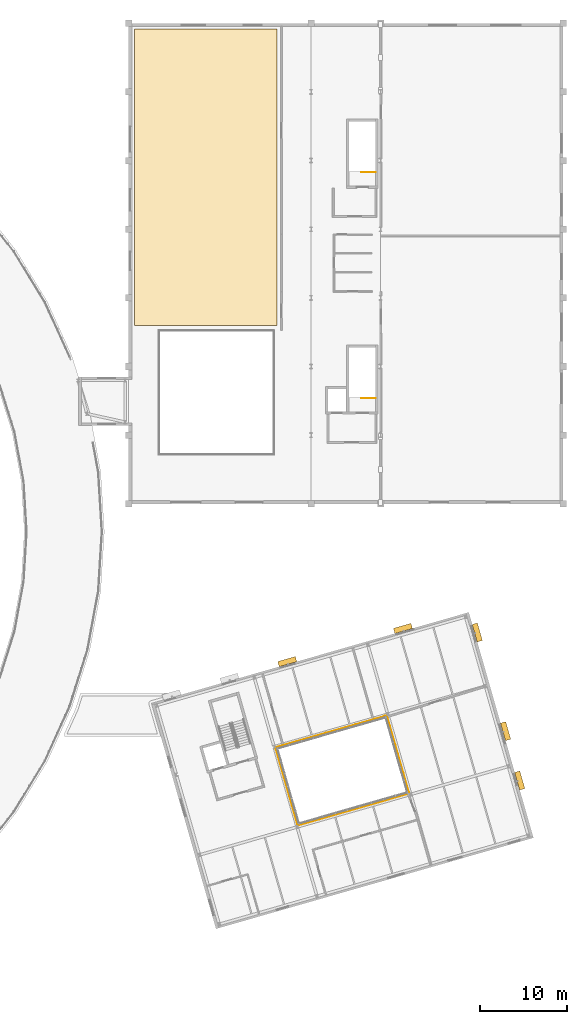
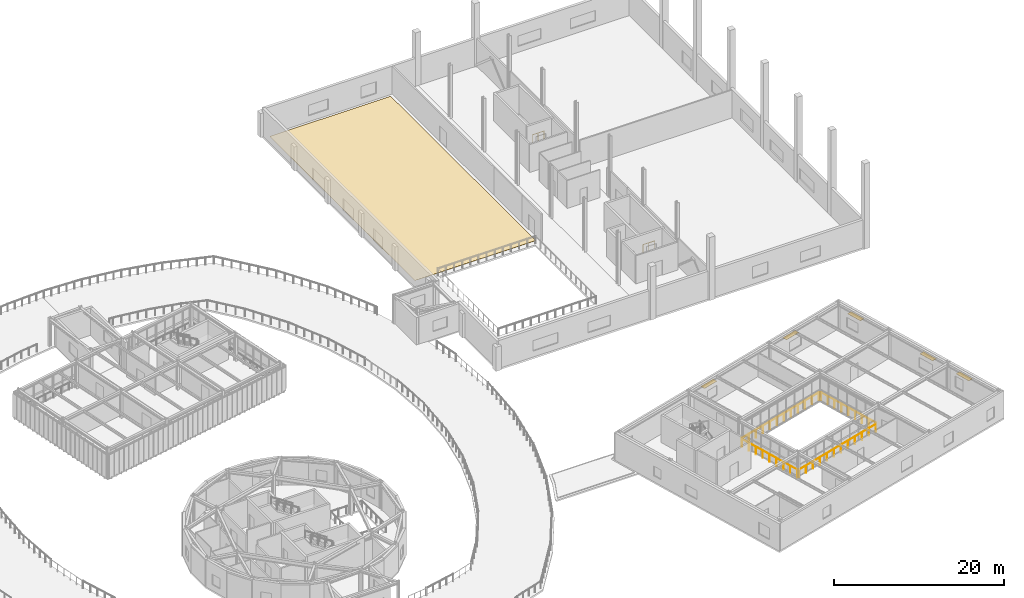
# One storey, part 59 of 59: 6 railings, 5 shading devices, 1 covering.
"""IFC4 building model written with IfcOpenShell, lengths in metres."""

from ifc_helpers import new_model, si_unit, direction, frame, origin, origin_2d, place, context, subcontext, project, spatial, polyline, rectangle, circle, outline, extrude, material, layer, layer_set, type_object, element, save


model = new_model("IFC4")

# Units and contexts
model_context = context("Model", 3, precision=1e-05, world=origin(), true_north=direction((0.0, 1.0)))
body_context = subcontext(model_context, "Body", "Model", "MODEL_VIEW")
ifc_project = project(units=[si_unit("LENGTHUNIT", "METRE"), si_unit("AREAUNIT", "SQUARE_METRE"), si_unit("VOLUMEUNIT", "CUBIC_METRE"), si_unit("PLANEANGLEUNIT", "RADIAN"), si_unit("MASSUNIT", "GRAM", prefix="KILO")], contexts=[model_context])

# Site, building, storey
site_placement = place(None, origin())
site = spatial("IfcSite", under=ifc_project, at=site_placement, CompositionType="ELEMENT")
building_placement = place(site_placement, origin())
building = spatial("IfcBuilding", under=site, at=building_placement, Name="Varnklinge Art Gallery", CompositionType="ELEMENT")
storey_placement = place(building_placement, frame((0.0, 0.0, 9.52001953125)))
storey = spatial("IfcBuildingStorey", under=building, at=storey_placement, Name="L02", CompositionType="ELEMENT", Elevation=9.52001953125)

# Railings
ifc_material_1 = material(Name="Anodised Aluminium", Category="aluminium")
railing_type_1 = type_object("IfcRailingType", Name="BAL-01", PredefinedType="BALUSTRADE", material=ifc_material_1)
railing_1_placement = place(storey_placement, frame((146.53271484375, 24.812255859375, 0.0)))
element("IfcRailing", 1, at=railing_1_placement, inside=storey, type_object=railing_type_1, Name="BAL-V6C-L02-1", PredefinedType="BALUSTRADE", context=body_context, shape_type="SweptSolid", body=[
    extrude(circle(Radius=0.02392578125, at=origin_2d()), frame((0.0, 0.0, 1.11572265625), z_axis=(-0.961262007285, -0.275636270019, 0.0), x_axis=(0.275636270019, -0.961262007285, 0.0)), (0.0, 0.0, 1.0), 13.0),
    extrude(circle(Radius=0.02099609375, at=origin_2d()), origin(), (0.0, 0.0, 1.0), 1.091796875),
    extrude(circle(Radius=0.02099609375, at=origin_2d()), frame((-1.135986328125, -0.32568359375, 0.0)), (0.0, 0.0, 1.0), 1.091796875),
    extrude(circle(Radius=0.02099609375, at=origin_2d()), frame((-2.27197265625, -0.651611328125, 0.0)), (0.0, 0.0, 1.0), 1.091796875),
    extrude(circle(Radius=0.02099609375, at=origin_2d()), frame((-3.408203125, -0.977294921875, 0.0)), (0.0, 0.0, 1.0), 1.091796875),
    extrude(circle(Radius=0.02099609375, at=origin_2d()), frame((-4.544189453125, -1.302978515625, 0.0)), (0.0, 0.0, 1.0), 1.091796875),
    extrude(circle(Radius=0.02099609375, at=origin_2d()), frame((-5.68017578125, -1.628662109375, 0.0)), (0.0, 0.0, 1.0), 1.091796875),
    extrude(circle(Radius=0.02099609375, at=origin_2d()), frame((-6.816162109375, -1.95458984375, 0.0)), (0.0, 0.0, 1.0), 1.091796875),
    extrude(circle(Radius=0.02099609375, at=origin_2d()), frame((-7.9521484375, -2.2802734375, 0.0)), (0.0, 0.0, 1.0), 1.091796875),
    extrude(circle(Radius=0.02099609375, at=origin_2d()), frame((-9.088134765625, -2.60595703125, 0.0)), (0.0, 0.0, 1.0), 1.091796875),
    extrude(circle(Radius=0.02099609375, at=origin_2d()), frame((-10.224365234375, -2.931640625, 0.0)), (0.0, 0.0, 1.0), 1.091796875),
    extrude(circle(Radius=0.02099609375, at=origin_2d()), frame((-11.3603515625, -3.257568359375, 0.0)), (0.0, 0.0, 1.0), 1.091796875),
    extrude(circle(Radius=0.02099609375, at=origin_2d()), frame((-12.496337890625, -3.583251953125, 0.0)), (0.0, 0.0, 1.0), 1.091796875),
])
railing_2_placement = place(storey_placement, frame((144.16162109375, 33.661376953125, 0.0)))
element("IfcRailing", 2, at=railing_2_placement, inside=storey, type_object=railing_type_1, Name="BAL-V6C-L02-2", PredefinedType="BALUSTRADE", context=body_context, shape_type="SweptSolid", body=[
    extrude(circle(Radius=0.02392578125, at=origin_2d()), frame((0.0, 0.0, 1.11572265625), z_axis=(0.275634611374, -0.96126248289, 0.0), x_axis=(0.96126248289, 0.275634611374, 0.0)), (0.0, 0.0, 1.0), 9.0),
    extrude(circle(Radius=0.02099609375, at=origin_2d()), origin(), (0.0, 0.0, 1.0), 1.091796875),
    extrude(circle(Radius=0.02099609375, at=origin_2d()), frame((0.31005859375, -1.08154296875, 0.0)), (0.0, 0.0, 1.0), 1.091796875),
    extrude(circle(Radius=0.02099609375, at=origin_2d()), frame((0.6201171875, -2.162841796875, 0.0)), (0.0, 0.0, 1.0), 1.091796875),
    extrude(circle(Radius=0.02099609375, at=origin_2d()), frame((0.93017578125, -3.244140625, 0.0)), (0.0, 0.0, 1.0), 1.091796875),
    extrude(circle(Radius=0.02099609375, at=origin_2d()), frame((1.240234375, -4.32568359375, 0.0)), (0.0, 0.0, 1.0), 1.091796875),
    extrude(circle(Radius=0.02099609375, at=origin_2d()), frame((1.550537109375, -5.4072265625, 0.0)), (0.0, 0.0, 1.0), 1.091796875),
    extrude(circle(Radius=0.02099609375, at=origin_2d()), frame((1.860595703125, -6.488525390625, 0.0)), (0.0, 0.0, 1.0), 1.091796875),
    extrude(circle(Radius=0.02099609375, at=origin_2d()), frame((2.170654296875, -7.56982421875, 0.0)), (0.0, 0.0, 1.0), 1.091796875),
    extrude(circle(Radius=0.02099609375, at=origin_2d()), frame((2.480712890625, -8.6513671875, 0.0)), (0.0, 0.0, 1.0), 1.091796875),
])
railing_3_placement = place(storey_placement, frame((131.46728515625, 30.187744140625, 0.0)))
element("IfcRailing", 3, at=railing_3_placement, inside=storey, type_object=railing_type_1, Name="BAL-V6C-L02-3", PredefinedType="BALUSTRADE", context=body_context, shape_type="SweptSolid", body=[
    extrude(circle(Radius=0.02392578125, at=origin_2d()), frame((0.0, 0.0, 1.11572265625), z_axis=(0.961262007285, 0.275636270019, 0.0), x_axis=(-0.275636270019, 0.961262007285, 0.0)), (0.0, 0.0, 1.0), 13.0),
    extrude(circle(Radius=0.02099609375, at=origin_2d()), origin(), (0.0, 0.0, 1.0), 1.091796875),
    extrude(circle(Radius=0.02099609375, at=origin_2d()), frame((1.135986328125, 0.32568359375, 0.0)), (0.0, 0.0, 1.0), 1.091796875),
    extrude(circle(Radius=0.02099609375, at=origin_2d()), frame((2.27197265625, 0.651611328125, 0.0)), (0.0, 0.0, 1.0), 1.091796875),
    extrude(circle(Radius=0.02099609375, at=origin_2d()), frame((3.408203125, 0.977294921875, 0.0)), (0.0, 0.0, 1.0), 1.091796875),
    extrude(circle(Radius=0.02099609375, at=origin_2d()), frame((4.544189453125, 1.302978515625, 0.0)), (0.0, 0.0, 1.0), 1.091796875),
    extrude(circle(Radius=0.02099609375, at=origin_2d()), frame((5.68017578125, 1.628662109375, 0.0)), (0.0, 0.0, 1.0), 1.091796875),
    extrude(circle(Radius=0.02099609375, at=origin_2d()), frame((6.816162109375, 1.95458984375, 0.0)), (0.0, 0.0, 1.0), 1.091796875),
    extrude(circle(Radius=0.02099609375, at=origin_2d()), frame((7.9521484375, 2.2802734375, 0.0)), (0.0, 0.0, 1.0), 1.091796875),
    extrude(circle(Radius=0.02099609375, at=origin_2d()), frame((9.088134765625, 2.60595703125, 0.0)), (0.0, 0.0, 1.0), 1.091796875),
    extrude(circle(Radius=0.02099609375, at=origin_2d()), frame((10.224365234375, 2.931640625, 0.0)), (0.0, 0.0, 1.0), 1.091796875),
    extrude(circle(Radius=0.02099609375, at=origin_2d()), frame((11.3603515625, 3.257568359375, 0.0)), (0.0, 0.0, 1.0), 1.091796875),
    extrude(circle(Radius=0.02099609375, at=origin_2d()), frame((12.496337890625, 3.583251953125, 0.0)), (0.0, 0.0, 1.0), 1.091796875),
])
railing_4_placement = place(storey_placement, frame((133.83837890625, 21.338623046875, 0.0)))
element("IfcRailing", 4, at=railing_4_placement, inside=storey, type_object=railing_type_1, Name="BAL-V6C-L02-4", PredefinedType="BALUSTRADE", context=body_context, shape_type="SweptSolid", body=[
    extrude(circle(Radius=0.02392578125, at=origin_2d()), frame((0.0, 0.0, 1.11572265625), z_axis=(-0.275634611374, 0.96126248289, 0.0), x_axis=(-0.96126248289, -0.275634611374, 0.0)), (0.0, 0.0, 1.0), 9.0),
    extrude(circle(Radius=0.02099609375, at=origin_2d()), origin(), (0.0, 0.0, 1.0), 1.091796875),
    extrude(circle(Radius=0.02099609375, at=origin_2d()), frame((-0.31005859375, 1.08154296875, 0.0)), (0.0, 0.0, 1.0), 1.091796875),
    extrude(circle(Radius=0.02099609375, at=origin_2d()), frame((-0.6201171875, 2.162841796875, 0.0)), (0.0, 0.0, 1.0), 1.091796875),
    extrude(circle(Radius=0.02099609375, at=origin_2d()), frame((-0.93017578125, 3.244140625, 0.0)), (0.0, 0.0, 1.0), 1.091796875),
    extrude(circle(Radius=0.02099609375, at=origin_2d()), frame((-1.240234375, 4.32568359375, 0.0)), (0.0, 0.0, 1.0), 1.091796875),
    extrude(circle(Radius=0.02099609375, at=origin_2d()), frame((-1.550537109375, 5.4072265625, 0.0)), (0.0, 0.0, 1.0), 1.091796875),
    extrude(circle(Radius=0.02099609375, at=origin_2d()), frame((-1.860595703125, 6.488525390625, 0.0)), (0.0, 0.0, 1.0), 1.091796875),
    extrude(circle(Radius=0.02099609375, at=origin_2d()), frame((-2.170654296875, 7.56982421875, 0.0)), (0.0, 0.0, 1.0), 1.091796875),
    extrude(circle(Radius=0.02099609375, at=origin_2d()), frame((-2.480712890625, 8.6513671875, 0.0)), (0.0, 0.0, 1.0), 1.091796875),
])

# Covering
ifc_material_2 = material(Name="Polished Terrazzo Flooring", Category="stone")
ifc_layer_1 = layer(ifc_material_2, 0.02001953125)
ifc_layer_set_1 = layer_set([ifc_layer_1], Name="Polished Terrazzo Flooring")
covering_type = type_object("IfcCoveringType", Name="FLR-STN", PredefinedType="FLOORING", material=ifc_layer_set_1)
covering_placement = place(storey_placement, origin())
element("IfcCovering", 5, at=covering_placement, inside=storey, type_object=covering_type, Name="L02 Gallery Terrazzo Flooring 032", PredefinedType="FLOORING", context=body_context, shape_type="SweptSolid", body=[
    extrude(outline(polyline([(115.080078125, 112.820068359375), (115.080078125, 78.699951171875), (131.5, 78.699951171875), (131.5, 112.820068359375), (115.080078125, 112.820068359375)])), origin(), (0.0, 0.0, 1.0), 0.02001953125),
])

# Railings
ifc_material_3 = material(Name="Steel S355", Category="steel")
railing_type_2 = type_object("IfcRailingType", Name="GR-INT", PredefinedType="GUARDRAIL", material=ifc_material_3)
for number, where, name in (
    (6, (142.800048828125, 70.35009765625, 0.0), "L02 ST-03 top well guard 1"),
    (7, (142.800048828125, 96.35009765625, 0.0), "L02 ST-07 top well guard 1"),
):
    element("IfcRailing", number, at=place(storey_placement, frame(where)), inside=storey, type_object=railing_type_2, Name=name, PredefinedType="GUARDRAIL", context=body_context, shape_type="SweptSolid", body=[
        extrude(circle(Radius=0.02392578125, at=origin_2d()), frame((0.0, 0.0, 1.076171875), z_axis=(-1.0, 0.0, 0.0), x_axis=(0.0, -1.0, 0.0)), (0.0, 0.0, 1.0), 1.610107421875),
        extrude(circle(Radius=0.02099609375, at=origin_2d()), origin(), (0.0, 0.0, 1.0), 1.052001953125),
        extrude(circle(Radius=0.02099609375, at=origin_2d()), frame((-0.80517578125, 0.0, 0.0)), (0.0, 0.0, 1.0), 1.052001953125),
        extrude(circle(Radius=0.02099609375, at=origin_2d()), frame((-1.610107421875, 0.0, 0.0)), (0.0, 0.0, 1.0), 1.052001953125),
    ])

# Shading devices
ifc_material_4 = material(Name="Anodised Aluminium", Category="aluminium")
ifc_layer_2 = layer(ifc_material_4, 0.044921875)
ifc_layer_set_2 = layer_set([ifc_layer_2], Name="Anodised Aluminium")
shading_device_type = type_object("IfcShadingDeviceType", Name="SHD-FIN", PredefinedType="JALOUSIE", material=ifc_layer_set_2)
for number, where, z_axis, x_axis, name in (
    (8, (132.65087890625, 40.035400390625, 2.47509765625), (0.0, 0.0, 1.0), (0.961261695938, 0.275637355817, 0.0), "L02 Studio Solar Brise-Soleil Fin EW-V6-L02-02.3"),
    (9, (145.96630859375, 43.853515625, 2.47509765625), (0.0, 0.0, 1.0), (0.961261695938, 0.275637355817, 0.0), "L02 Studio Solar Brise-Soleil Fin EW-V6-L02-02.5"),
    (10, (154.520263671875, 43.3935546875, 2.47509765625), (0.0, 0.0, 1.0), (0.275637355817, -0.961261695938, 0.0), "L02 Studio Solar Brise-Soleil Fin EW-V6-L02-03.1"),
    (11, (157.777099609375, 32.036376953125, 2.47509765625), (0.0, 0.0, 1.0), (0.275637355817, -0.961261695938, 0.0), "L02 Studio Solar Brise-Soleil Fin EW-V6-L02-03.3"),
    (12, (159.4052734375, 26.357666015625, 2.47509765625), (0.0, 0.0, 1.0), (0.275637355817, -0.961261695938, 0.0), "L02 Studio Solar Brise-Soleil Fin EW-V6-L02-03.4"),
):
    element("IfcShadingDevice", number, at=place(storey_placement, frame(where, z_axis=z_axis, x_axis=x_axis)), inside=storey, type_object=shading_device_type, Name=name, PredefinedType="JALOUSIE", context=body_context, shape_type="SweptSolid", body=[
        extrude(rectangle(XDim=2.10009765625, YDim=0.6201171875, at=origin_2d()), origin(), (0.0, 0.0, 1.0), 0.050048828125),
    ])

save(model, "model.ifc")
